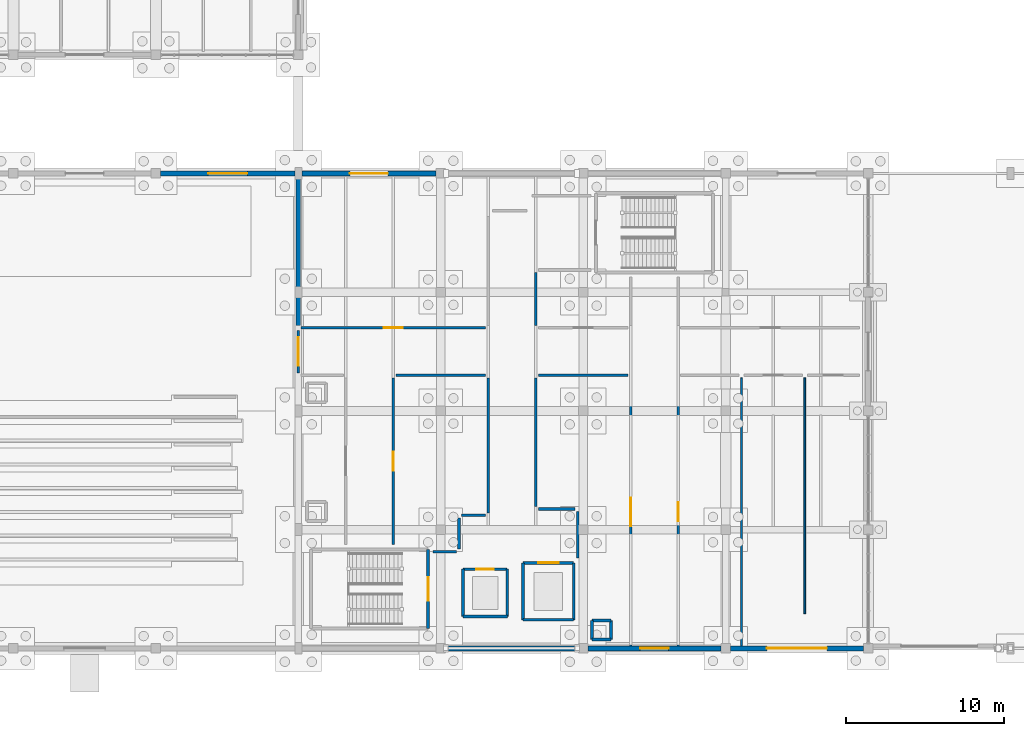
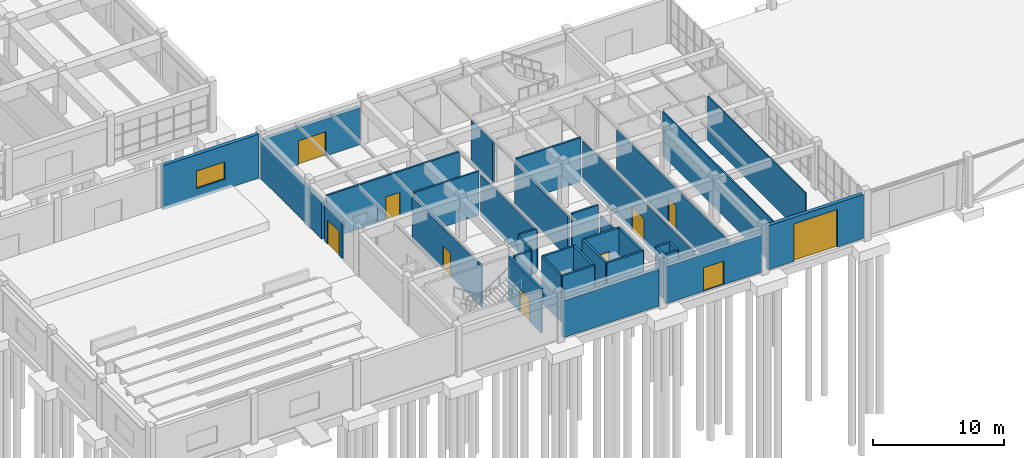
# One storey, part 81 of 93: 36 walls, 11 doors, 1 window, 12 openings.
"""IFC4 building model written with IfcOpenShell, lengths in metres."""

from ifc_helpers import new_model, si_unit, direction, frame, frame_2d, origin, place, context, subcontext, project, spatial, rectangle, extrude, material, layer, layer_set, type_object, element, fill, save


model = new_model("IFC4")

# Units and contexts
model_context = context("Model", 3, precision=1e-05, world=origin(), true_north=direction((0.0, 1.0)))
body_context = subcontext(model_context, "Body", "Model", "MODEL_VIEW")
ifc_project = project(units=[si_unit("LENGTHUNIT", "METRE"), si_unit("AREAUNIT", "SQUARE_METRE"), si_unit("VOLUMEUNIT", "CUBIC_METRE"), si_unit("PLANEANGLEUNIT", "RADIAN"), si_unit("MASSUNIT", "GRAM", prefix="KILO")], contexts=[model_context])

# Site, building, storey
site_placement = place(None, origin())
site = spatial("IfcSite", under=ifc_project, at=site_placement, CompositionType="ELEMENT")
building_placement = place(site_placement, origin())
building = spatial("IfcBuilding", under=site, at=building_placement, Name="Marnridge Secondary College", CompositionType="ELEMENT")
storey_placement = place(building_placement, origin())
storey = spatial("IfcBuildingStorey", under=building, at=storey_placement, Name="L00", CompositionType="ELEMENT", Elevation=0.0)

# Wall
ifc_material_1 = material(Name="Acoustic plasterboard on steel Grade 350 framing Rw50", Category="steel")
ifc_layer_1 = layer(ifc_material_1, 0.2900390625)
ifc_layer_set_1 = layer_set([ifc_layer_1], Name="WT-AC-VAR09")
wall_type_1 = type_object("IfcWallType", Name="WT-AC-VAR09", PredefinedType="PARTITIONING", material=ifc_layer_set_1)
wall_1_placement = place(storey_placement, frame((90.0, 29.840087890625, 0.0), z_axis=(0.0, 0.0, 1.0), x_axis=(0.0, -1.0, 0.0)))
element("IfcWall", 1, at=wall_1_placement, inside=storey, type_object=wall_type_1, Name="Interior partition WP-L00-0037", PredefinedType="PARTITIONING", context=body_context, shape_type="SweptSolid", body=[
    extrude(rectangle(XDim=9.43017578125, YDim=0.2900390625, at=frame_2d((4.715087890625, 0.0))), origin(), (0.0, 0.0, 1.0), 3.44189453125),
])

# Wall, opening, door
ifc_material_2 = material(Name="Concrete C40/50 (AS 3600 N40, 40 MPa)", Category="concrete")
ifc_layer_2 = layer(ifc_material_2, 0.199951171875)
ifc_layer_set_2 = layer_set([ifc_layer_2], Name="WT-CORE-RC200")
wall_type_2 = type_object("IfcWallType", Name="WT-CORE-RC200", PredefinedType="SHEAR", material=ifc_layer_set_2)
wall_2_placement = place(storey_placement, frame((98.199951171875, 6.25, 0.0), z_axis=(0.0, 0.0, 1.0), x_axis=(0.0, -1.0, 0.0)))
wall_2 = element("IfcWall", 2, at=wall_2_placement, inside=storey, type_object=wall_type_2, Name="Stair core shear wall WC-L00-0370", PredefinedType="SHEAR", context=body_context, shape_type="SweptSolid", body=[
    extrude(rectangle(XDim=5.0, YDim=0.199951171875, at=frame_2d((2.5, 0.0))), origin(), (0.0, 0.0, 1.0), 4.10009765625),
])
opening_1_placement = place(wall_2_placement, frame((1.75, 0.0, 0.0)))
opening_1 = element("IfcOpeningElement", 3, at=opening_1_placement, cuts=wall_2, Name="Opening DC-L00-031", PredefinedType="OPENING", context=body_context, shape_type="SweptSolid", body=[
    extrude(rectangle(XDim=1.5, YDim=2.14990234375, at=frame_2d((0.75, 1.074951171875))), frame((0.0, 0.10986328125, 0.0), z_axis=(0.0, -1.0, 0.0), x_axis=(1.0, 0.0, 0.0)), (0.0, 0.0, 1.0), 0.219970703125),
])
ifc_material_3 = material(Name="Fire-rated solid-core timber doorset", Category="wood")
door_type_1 = type_object("IfcDoorType", Name="DT-CORE-FD150", OperationType="DOUBLE_DOOR_SINGLE_SWING", PredefinedType="DOOR", material=ifc_material_3)
door_1_placement = place(opening_1_placement, origin())
door_1 = element("IfcDoor", 4, at=door_1_placement, inside=storey, type_object=door_type_1, Name="Fire stair door DC-L00-031", OperationType="DOUBLE_DOOR_SINGLE_SWING", OverallHeight=2.14990234375, OverallWidth=1.5, PredefinedType="DOOR", context=body_context, shape_type="SweptSolid", body=[
    extrude(rectangle(XDim=1.5, YDim=2.14990234375, at=frame_2d((0.75, 1.074951171875))), frame((0.0, 0.02490234375, 0.0), z_axis=(0.0, -1.0, 0.0), x_axis=(1.0, 0.0, 0.0)), (0.0, 0.0, 1.0), 0.050048828125),
])
fill(opening_1, door_1)

# Wall, opening, window
ifc_material_4 = material(Name="Concrete C40/50 (AS 3600 N40, 40 MPa)", Category="concrete")
ifc_layer_3 = layer(ifc_material_4, 0.320068359375)
ifc_layer_set_3 = layer_set([ifc_layer_3], Name="WT-EXT-RC320")
wall_type_3 = type_object("IfcWallType", Name="WT-EXT-RC320", PredefinedType="SOLIDWALL", material=ifc_layer_set_3)
wall_3_placement = place(storey_placement, frame((81.2958984375, 30.0, 0.0), z_axis=(0.0, 0.0, 1.0), x_axis=(1.0, 0.0, 0.0)))
wall_3 = element("IfcWall", 5, at=wall_3_placement, inside=storey, type_object=wall_type_3, Name="Exterior wall WE-L00-0037", PredefinedType="SOLIDWALL", context=body_context, shape_type="SweptSolid", body=[
    extrude(rectangle(XDim=8.483154296875, YDim=0.320068359375, at=frame_2d((4.24169921875, 0.0))), origin(), (0.0, 0.0, 1.0), 4.10009765625),
])
opening_2_placement = place(wall_3_placement, frame((3.00146484375, 0.0, 0.949951171875)))
opening_2 = element("IfcOpeningElement", 6, at=opening_2_placement, cuts=wall_3, Name="Opening WN-L00-0014", PredefinedType="OPENING", context=body_context, shape_type="SweptSolid", body=[
    extrude(rectangle(XDim=2.47998046875, YDim=1.6201171875, at=frame_2d((1.239990234375, 0.81005859375))), frame((0.0, 0.169921875, 0.0), z_axis=(0.0, -1.0, 0.0), x_axis=(1.0, 0.0, 0.0)), (0.0, 0.0, 1.0), 0.340087890625),
])
ifc_material_5 = material(Name="Solar-control low-E double glazing", Category="glass")
window_type = type_object("IfcWindowType", Name="WN-EXT-V14", PartitioningType="DOUBLE_PANEL_VERTICAL", PredefinedType="WINDOW", material=ifc_material_5)
window_placement = place(opening_2_placement, origin())
window = element("IfcWindow", 7, at=window_placement, inside=storey, type_object=window_type, Name="Facade window WN-L00-0014", OverallHeight=1.6201171875, OverallWidth=2.47998046875, PartitioningType="DOUBLE_PANEL_VERTICAL", PredefinedType="WINDOW", context=body_context, shape_type="SweptSolid", body=[
    extrude(rectangle(XDim=2.47998046875, YDim=1.6201171875, at=frame_2d((1.239990234375, 0.81005859375))), frame((0.0, 0.030029296875, 0.0), z_axis=(0.0, -1.0, 0.0), x_axis=(1.0, 0.0, 0.0)), (0.0, 0.0, 1.0), 0.06005859375),
])
fill(opening_2, window)

# Wall, opening, door
wall_4_placement = place(storey_placement, frame((90.220947265625, 30.0, 0.0), z_axis=(0.0, 0.0, 1.0), x_axis=(1.0, 0.0, 0.0)))
wall_4 = element("IfcWall", 8, at=wall_4_placement, inside=storey, type_object=wall_type_3, Name="Exterior wall WE-L00-0038", PredefinedType="SOLIDWALL", context=body_context, shape_type="SweptSolid", body=[
    extrude(rectangle(XDim=8.483154296875, YDim=0.320068359375, at=frame_2d((4.24169921875, 0.0))), origin(), (0.0, 0.0, 1.0), 3.44189453125),
])
opening_3_placement = place(wall_4_placement, frame((3.04150390625, 0.0, 0.0)))
opening_3 = element("IfcOpeningElement", 9, at=opening_3_placement, cuts=wall_4, Name="Opening DE-L00-014", PredefinedType="OPENING", context=body_context, shape_type="SweptSolid", body=[
    extrude(rectangle(XDim=2.39990234375, YDim=2.25, at=frame_2d((1.199951171875, 1.125))), frame((0.0, 0.169921875, 0.0), z_axis=(0.0, -1.0, 0.0), x_axis=(1.0, 0.0, 0.0)), (0.0, 0.0, 1.0), 0.340087890625),
])
ifc_material_6 = material(Name="Thermally broken aluminium and toughened glass", Category="aluminium")
door_type_2 = type_object("IfcDoorType", Name="DT-EXT-EXIT240", OperationType="DOUBLE_DOOR_SINGLE_SWING", PredefinedType="DOOR", material=ifc_material_6)
door_2_placement = place(opening_3_placement, origin())
door_2 = element("IfcDoor", 10, at=door_2_placement, inside=storey, type_object=door_type_2, Name="Civic entrance exit door DE-L00-014", OperationType="DOUBLE_DOOR_SINGLE_SWING", OverallHeight=2.25, OverallWidth=2.39990234375, PredefinedType="DOOR", context=body_context, shape_type="SweptSolid", body=[
    extrude(rectangle(XDim=2.39990234375, YDim=2.25, at=frame_2d((1.199951171875, 1.125))), frame((0.0, 0.02490234375, 0.0), z_axis=(0.0, -1.0, 0.0), x_axis=(1.0, 0.0, 0.0)), (0.0, 0.0, 1.0), 0.050048828125),
])
fill(opening_3, door_2)

wall_5_placement = place(storey_placement, frame((125.7041015625, 0.0, 0.0), z_axis=(0.0, 0.0, 1.0), x_axis=(-1.0, 0.0, 0.0)))
wall_5 = element("IfcWall", 11, at=wall_5_placement, inside=storey, type_object=wall_type_3, Name="Exterior wall WE-L00-0043", PredefinedType="SOLIDWALL", context=body_context, shape_type="SweptSolid", body=[
    extrude(rectangle(XDim=8.408203125, YDim=0.320068359375, at=frame_2d((4.2041015625, 0.0))), origin(), (0.0, 0.0, 1.0), 4.10009765625),
])
opening_4_placement = place(wall_5_placement, frame((2.303955078125, 0.0, 0.0)))
opening_4 = element("IfcOpeningElement", 12, at=opening_4_placement, cuts=wall_5, Name="Opening RS-01", PredefinedType="OPENING", context=body_context, shape_type="SweptSolid", body=[
    extrude(rectangle(XDim=3.800048828125, YDim=3.5, at=frame_2d((1.89990234375, 1.75))), frame((0.0, 0.169921875, 0.0), z_axis=(0.0, -1.0, 0.0), x_axis=(1.0, 0.0, 0.0)), (0.0, 0.0, 1.0), 0.340087890625),
])
ifc_material_7 = material(Name="Motorised insulated steel Grade 350 loading-dock roller shutter", Category="steel")
door_type_3 = type_object("IfcDoorType", Name="GT-DOCK-380", OperationType="ROLLINGUP", PredefinedType="GATE", material=ifc_material_7)
door_3_placement = place(opening_4_placement, origin())
door_3 = element("IfcDoor", 13, at=door_3_placement, inside=storey, type_object=door_type_3, Name="Loading bay roller shutter gate RS-01", OperationType="ROLLINGUP", OverallHeight=3.5, OverallWidth=3.800048828125, PredefinedType="GATE", context=body_context, shape_type="SweptSolid", body=[
    extrude(rectangle(XDim=3.800048828125, YDim=3.5, at=frame_2d((1.89990234375, 1.75))), frame((0.0, 0.02490234375, 0.0), z_axis=(0.0, -1.0, 0.0), x_axis=(1.0, 0.0, 0.0)), (0.0, 0.0, 1.0), 0.050048828125),
])
fill(opening_4, door_3)

wall_6_placement = place(storey_placement, frame((116.7041015625, 0.0, 0.0), z_axis=(0.0, 0.0, 1.0), x_axis=(-1.0, 0.0, 0.0)))
wall_6 = element("IfcWall", 14, at=wall_6_placement, inside=storey, type_object=wall_type_3, Name="Exterior wall WE-L00-0044", PredefinedType="SOLIDWALL", context=body_context, shape_type="SweptSolid", body=[
    extrude(rectangle(XDim=8.408203125, YDim=0.320068359375, at=frame_2d((4.2041015625, 0.0))), origin(), (0.0, 0.0, 1.0), 3.44189453125),
])
opening_5_placement = place(wall_6_placement, frame((3.303955078125, 0.0, 0.0)))
opening_5 = element("IfcOpeningElement", 15, at=opening_5_placement, cuts=wall_6, Name="Opening DE-L00-016", PredefinedType="OPENING", context=body_context, shape_type="SweptSolid", body=[
    extrude(rectangle(XDim=1.800048828125, YDim=2.199951171875, at=frame_2d((0.89990234375, 1.10009765625))), frame((0.0, 0.169921875, 0.0), z_axis=(0.0, -1.0, 0.0), x_axis=(1.0, 0.0, 0.0)), (0.0, 0.0, 1.0), 0.340087890625),
])
ifc_material_8 = material(Name="Thermally broken timber-aluminium terrace doorset", Category="wood")
door_type_4 = type_object("IfcDoorType", Name="DT-EXT-TER180", OperationType="DOUBLE_DOOR_SINGLE_SWING", PredefinedType="DOOR", material=ifc_material_8)
door_4_placement = place(opening_5_placement, origin())
door_4 = element("IfcDoor", 16, at=door_4_placement, inside=storey, type_object=door_type_4, Name="Final exit stair door DE-L00-016", OperationType="DOUBLE_DOOR_SINGLE_SWING", OverallHeight=2.199951171875, OverallWidth=1.800048828125, PredefinedType="DOOR", context=body_context, shape_type="SweptSolid", body=[
    extrude(rectangle(XDim=1.800048828125, YDim=2.199951171875, at=frame_2d((0.89990234375, 1.10009765625))), frame((0.0, 0.02490234375, 0.0), z_axis=(0.0, -1.0, 0.0), x_axis=(1.0, 0.0, 0.0)), (0.0, 0.0, 1.0), 0.050048828125),
])
fill(opening_5, door_4)

# Wall
wall_7_placement = place(storey_placement, frame((107.7041015625, 0.0, 0.0), z_axis=(0.0, 0.0, 1.0), x_axis=(-1.0, 0.0, 0.0)))
element("IfcWall", 17, at=wall_7_placement, inside=storey, type_object=wall_type_3, Name="Exterior wall WE-L00-0045", PredefinedType="SOLIDWALL", context=body_context, shape_type="SweptSolid", body=[
    extrude(rectangle(XDim=8.408203125, YDim=0.320068359375, at=frame_2d((4.2041015625, 0.0))), origin(), (0.0, 0.0, 1.0), 3.44189453125),
])

# Wall, opening, door
ifc_material_9 = material(Name="Acoustic plasterboard on twin steel Grade 350 framing Rw55", Category="steel")
ifc_layer_4 = layer(ifc_material_9, 0.1650390625)
ifc_layer_set_4 = layer_set([ifc_layer_4], Name="WT-PART-AC165")
wall_type_4 = type_object("IfcWallType", Name="WT-PART-AC165", PredefinedType="PARTITIONING", material=ifc_layer_set_4)
wall_8_placement = place(storey_placement, frame((90.0, 20.090087890625, 0.0), z_axis=(0.0, 0.0, 1.0), x_axis=(0.0, -1.0, 0.0)))
wall_8 = element("IfcWall", 18, at=wall_8_placement, inside=storey, type_object=wall_type_4, Name="Interior partition WP-L00-0035", PredefinedType="PARTITIONING", context=body_context, shape_type="SweptSolid", body=[
    extrude(rectangle(XDim=2.68017578125, YDim=0.1650390625, at=frame_2d((1.340087890625, 0.0))), origin(), (0.0, 0.0, 1.0), 3.44189453125),
])
opening_6_placement = place(wall_8_placement, frame((0.43994140625, 0.0, 0.0)))
opening_6 = element("IfcOpeningElement", 19, at=opening_6_placement, cuts=wall_8, Name="Opening DI-L00-0014", PredefinedType="OPENING", context=body_context, shape_type="SweptSolid", body=[
    extrude(rectangle(XDim=1.800048828125, YDim=2.25, at=frame_2d((0.89990234375, 1.125))), frame((0.0, 0.092529296875, 0.0), z_axis=(0.0, -1.0, 0.0), x_axis=(1.0, 0.0, 0.0)), (0.0, 0.0, 1.0), 0.18505859375),
])
ifc_material_10 = material(Name="Acoustic double assembly doorset", Category="wood")
door_type_5 = type_object("IfcDoorType", Name="DT-HALL-180", OperationType="DOUBLE_DOOR_SINGLE_SWING", PredefinedType="DOOR", material=ifc_material_10)
door_5_placement = place(opening_6_placement, origin())
door_5 = element("IfcDoor", 20, at=door_5_placement, inside=storey, type_object=door_type_5, Name="Interior door DI-L00-0014", OperationType="DOUBLE_DOOR_SINGLE_SWING", OverallHeight=2.25, OverallWidth=1.800048828125, PredefinedType="DOOR", context=body_context, shape_type="SweptSolid", body=[
    extrude(rectangle(XDim=1.800048828125, YDim=2.25, at=frame_2d((0.89990234375, 1.125))), frame((0.0, 0.02490234375, 0.0), z_axis=(0.0, -1.0, 0.0), x_axis=(1.0, 0.0, 0.0)), (0.0, 0.0, 1.0), 0.050048828125),
])
fill(opening_6, door_5)

wall_9_placement = place(storey_placement, frame((114.0, 17.090087890625, 0.0), z_axis=(0.0, 0.0, 1.0), x_axis=(0.0, -1.0, 0.0)))
wall_9 = element("IfcWall", 21, at=wall_9_placement, inside=storey, type_object=wall_type_4, Name="Interior partition WP-L00-0039", PredefinedType="PARTITIONING", context=body_context, shape_type="SweptSolid", body=[
    extrude(rectangle(XDim=16.93017578125, YDim=0.1650390625, at=frame_2d((8.465087890625, 0.0))), origin(), (0.0, 0.0, 1.0), 3.7880859375),
])
opening_7_placement = place(wall_9_placement, frame((7.864990234375, 0.0, 0.0)))
opening_7 = element("IfcOpeningElement", 22, at=opening_7_placement, cuts=wall_9, Name="Opening DI-L00-0015", PredefinedType="OPENING", context=body_context, shape_type="SweptSolid", body=[
    extrude(rectangle(XDim=1.199951171875, YDim=2.14990234375, at=frame_2d((0.60009765625, 1.074951171875))), frame((0.0, 0.092529296875, 0.0), z_axis=(0.0, -1.0, 0.0), x_axis=(1.0, 0.0, 0.0)), (0.0, 0.0, 1.0), 0.18505859375),
])
ifc_material_11 = material(Name="Galvanised steel Grade 350 plant-room fire doorset", Category="steel")
door_type_6 = type_object("IfcDoorType", Name="DT-PLT-120", OperationType="NOTDEFINED", PredefinedType="DOOR", material=ifc_material_11)
door_6_placement = place(opening_7_placement, origin())
door_6 = element("IfcDoor", 23, at=door_6_placement, inside=storey, type_object=door_type_6, Name="Interior door DI-L00-0015", OperationType="SINGLE_SWING_LEFT", OverallHeight=2.14990234375, OverallWidth=1.199951171875, PredefinedType="DOOR", context=body_context, shape_type="SweptSolid", body=[
    extrude(rectangle(XDim=1.199951171875, YDim=2.14990234375, at=frame_2d((0.60009765625, 1.074951171875))), frame((0.0, 0.02490234375, 0.0), z_axis=(0.0, -1.0, 0.0), x_axis=(1.0, 0.0, 0.0)), (0.0, 0.0, 1.0), 0.050048828125),
])
fill(opening_7, door_6)

wall_10_placement = place(storey_placement, frame((111.0, 17.090087890625, 0.0), z_axis=(0.0, 0.0, 1.0), x_axis=(0.0, -1.0, 0.0)))
wall_10 = element("IfcWall", 24, at=wall_10_placement, inside=storey, type_object=wall_type_4, Name="Interior partition WP-L00-0046", PredefinedType="PARTITIONING", context=body_context, shape_type="SweptSolid", body=[
    extrude(rectangle(XDim=16.93017578125, YDim=0.1650390625, at=frame_2d((8.465087890625, 0.0))), origin(), (0.0, 0.0, 1.0), 3.7880859375),
])
opening_8_placement = place(wall_10_placement, frame((7.56494140625, 0.0, 0.0)))
opening_8 = element("IfcOpeningElement", 25, at=opening_8_placement, cuts=wall_10, Name="Opening DI-L00-0019", PredefinedType="OPENING", context=body_context, shape_type="SweptSolid", body=[
    extrude(rectangle(XDim=1.800048828125, YDim=2.25, at=frame_2d((0.89990234375, 1.125))), frame((0.0, 0.092529296875, 0.0), z_axis=(0.0, -1.0, 0.0), x_axis=(1.0, 0.0, 0.0)), (0.0, 0.0, 1.0), 0.18505859375),
])
door_7_placement = place(opening_8_placement, origin())
door_7 = element("IfcDoor", 26, at=door_7_placement, inside=storey, type_object=door_type_5, Name="Interior door DI-L00-0019", OperationType="DOUBLE_DOOR_SINGLE_SWING", OverallHeight=2.25, OverallWidth=1.800048828125, PredefinedType="DOOR", context=body_context, shape_type="SweptSolid", body=[
    extrude(rectangle(XDim=1.800048828125, YDim=2.25, at=frame_2d((0.89990234375, 1.125))), frame((0.0, 0.02490234375, 0.0), z_axis=(0.0, -1.0, 0.0), x_axis=(1.0, 0.0, 0.0)), (0.0, 0.0, 1.0), 0.050048828125),
])
fill(opening_8, door_7)

# Walls
wall_11_placement = place(storey_placement, frame((105.159912109375, 17.25, 0.0), z_axis=(0.0, 0.0, 1.0), x_axis=(1.0, 0.0, 0.0)))
element("IfcWall", 27, at=wall_11_placement, inside=storey, type_object=wall_type_4, Name="Interior partition WP-L00-0047", PredefinedType="PARTITIONING", context=body_context, shape_type="SweptSolid", body=[
    extrude(rectangle(XDim=5.68017578125, YDim=0.1650390625, at=frame_2d((2.840087890625, 0.0))), origin(), (0.0, 0.0, 1.0), 4.10009765625),
])
wall_12_placement = place(storey_placement, frame((105.0, 8.9599609375, 0.0), z_axis=(0.0, 0.0, 1.0), x_axis=(0.0, 1.0, 0.0)))
element("IfcWall", 28, at=wall_12_placement, inside=storey, type_object=wall_type_4, Name="Interior partition WP-L00-0048", PredefinedType="PARTITIONING", context=body_context, shape_type="SweptSolid", body=[
    extrude(rectangle(XDim=8.130126953125, YDim=0.1650390625, at=frame_2d((4.06494140625, 0.0))), origin(), (0.0, 0.0, 1.0), 3.7880859375),
])
wall_13_placement = place(storey_placement, frame((107.489990234375, 8.800048828125, 0.0), z_axis=(0.0, 0.0, 1.0), x_axis=(-1.0, 0.0, 0.0)))
element("IfcWall", 29, at=wall_13_placement, inside=storey, type_object=wall_type_4, Name="Interior partition WP-L00-0049", PredefinedType="PARTITIONING", context=body_context, shape_type="SweptSolid", body=[
    extrude(rectangle(XDim=2.330078125, YDim=0.1650390625, at=frame_2d((1.1650390625, 0.0))), origin(), (0.0, 0.0, 1.0), 4.10009765625),
])
wall_14_placement = place(storey_placement, frame((107.64990234375, 5.699951171875, 0.0), z_axis=(0.0, 0.0, 1.0), x_axis=(0.0, 1.0, 0.0)))
element("IfcWall", 30, at=wall_14_placement, inside=storey, type_object=wall_type_4, Name="Interior partition WP-L00-0050", PredefinedType="PARTITIONING", context=body_context, shape_type="SweptSolid", body=[
    extrude(rectangle(XDim=2.93994140625, YDim=0.1650390625, at=frame_2d((1.469970703125, 0.0))), origin(), (0.0, 0.0, 1.0), 3.14208984375),
])
wall_15_placement = place(storey_placement, frame((100.31005859375, 8.39990234375, 0.0), z_axis=(0.0, 0.0, 1.0), x_axis=(1.0, 0.0, 0.0)))
element("IfcWall", 31, at=wall_15_placement, inside=storey, type_object=wall_type_4, Name="Interior partition WP-L00-0051", PredefinedType="PARTITIONING", context=body_context, shape_type="SweptSolid", body=[
    extrude(rectangle(XDim=1.530029296875, YDim=0.1650390625, at=frame_2d((0.76513671875, 0.0))), origin(), (0.0, 0.0, 1.0), 4.10009765625),
])
wall_16_placement = place(storey_placement, frame((102.0, 8.56005859375, 0.0), z_axis=(0.0, 0.0, 1.0), x_axis=(0.0, 1.0, 0.0)))
element("IfcWall", 32, at=wall_16_placement, inside=storey, type_object=wall_type_4, Name="Interior partition WP-L00-0052", PredefinedType="PARTITIONING", context=body_context, shape_type="SweptSolid", body=[
    extrude(rectangle(XDim=8.530029296875, YDim=0.1650390625, at=frame_2d((4.26513671875, 0.0))), origin(), (0.0, 0.0, 1.0), 3.7880859375),
])
wall_17_placement = place(storey_placement, frame((101.840087890625, 17.25, 0.0), z_axis=(0.0, 0.0, 1.0), x_axis=(-1.0, 0.0, 0.0)))
element("IfcWall", 33, at=wall_17_placement, inside=storey, type_object=wall_type_4, Name="Interior partition WP-L00-0053", PredefinedType="PARTITIONING", context=body_context, shape_type="SweptSolid", body=[
    extrude(rectangle(XDim=5.68017578125, YDim=0.1650390625, at=frame_2d((2.840087890625, 0.0))), origin(), (0.0, 0.0, 1.0), 4.10009765625),
])

# Wall, opening, door
wall_18_placement = place(storey_placement, frame((96.0, 17.090087890625, 0.0), z_axis=(0.0, 0.0, 1.0), x_axis=(0.0, -1.0, 0.0)))
wall_18 = element("IfcWall", 34, at=wall_18_placement, inside=storey, type_object=wall_type_4, Name="Interior partition WP-L00-0054", PredefinedType="PARTITIONING", context=body_context, shape_type="SweptSolid", body=[
    extrude(rectangle(XDim=10.5400390625, YDim=0.1650390625, at=frame_2d((5.27001953125, 0.0))), origin(), (0.0, 0.0, 1.0), 3.7880859375),
])
opening_9_placement = place(wall_18_placement, frame((4.669921875, 0.0, 0.0)))
opening_9 = element("IfcOpeningElement", 35, at=opening_9_placement, cuts=wall_18, Name="Opening DI-L00-0020", PredefinedType="OPENING", context=body_context, shape_type="SweptSolid", body=[
    extrude(rectangle(XDim=1.199951171875, YDim=2.14990234375, at=frame_2d((0.60009765625, 1.074951171875))), frame((0.0, 0.092529296875, 0.0), z_axis=(0.0, -1.0, 0.0), x_axis=(1.0, 0.0, 0.0)), (0.0, 0.0, 1.0), 0.18505859375),
])
door_8_placement = place(opening_9_placement, origin())
door_8 = element("IfcDoor", 36, at=door_8_placement, inside=storey, type_object=door_type_6, Name="Interior door DI-L00-0020", OperationType="SINGLE_SWING_RIGHT", OverallHeight=2.14990234375, OverallWidth=1.199951171875, PredefinedType="DOOR", context=body_context, shape_type="SweptSolid", body=[
    extrude(rectangle(XDim=1.199951171875, YDim=2.14990234375, at=frame_2d((0.60009765625, 1.074951171875))), frame((0.0, 0.02490234375, 0.0), z_axis=(0.0, -1.0, 0.0), x_axis=(1.0, 0.0, 0.0)), (0.0, 0.0, 1.0), 0.050048828125),
])
fill(opening_9, door_8)

# Walls
wall_19_placement = place(storey_placement, frame((98.5, 6.10009765625, 0.0), z_axis=(0.0, 0.0, 1.0), x_axis=(1.0, 0.0, 0.0)))
element("IfcWall", 37, at=wall_19_placement, inside=storey, type_object=wall_type_4, Name="Interior partition WP-L00-0055", PredefinedType="PARTITIONING", context=body_context, shape_type="SweptSolid", body=[
    extrude(rectangle(XDim=1.489990234375, YDim=0.1650390625, at=frame_2d((0.7451171875, 0.0))), origin(), (0.0, 0.0, 1.0), 4.10009765625),
])
wall_20_placement = place(storey_placement, frame((100.14990234375, 6.260009765625, 0.0), z_axis=(0.0, 0.0, 1.0), x_axis=(0.0, 1.0, 0.0)))
element("IfcWall", 38, at=wall_20_placement, inside=storey, type_object=wall_type_4, Name="Interior partition WP-L00-0056", PredefinedType="PARTITIONING", context=body_context, shape_type="SweptSolid", body=[
    extrude(rectangle(XDim=1.97998046875, YDim=0.1650390625, at=frame_2d((0.989990234375, 0.0))), origin(), (0.0, 0.0, 1.0), 4.10009765625),
])

# Wall, opening, door
wall_21_placement = place(storey_placement, frame((90.159912109375, 20.25, 0.0), z_axis=(0.0, 0.0, 1.0), x_axis=(1.0, 0.0, 0.0)))
wall_21 = element("IfcWall", 39, at=wall_21_placement, inside=storey, type_object=wall_type_4, Name="Interior partition WP-L00-0057", PredefinedType="PARTITIONING", context=body_context, shape_type="SweptSolid", body=[
    extrude(rectangle(XDim=11.68017578125, YDim=0.1650390625, at=frame_2d((5.840087890625, 0.0))), origin(), (0.0, 0.0, 1.0), 4.10009765625),
])
opening_10_placement = place(wall_21_placement, frame((5.239990234375, 0.0, 0.0)))
opening_10 = element("IfcOpeningElement", 40, at=opening_10_placement, cuts=wall_21, Name="Opening DI-L00-0021", PredefinedType="OPENING", context=body_context, shape_type="SweptSolid", body=[
    extrude(rectangle(XDim=1.199951171875, YDim=2.14990234375, at=frame_2d((0.60009765625, 1.074951171875))), frame((0.0, 0.092529296875, 0.0), z_axis=(0.0, -1.0, 0.0), x_axis=(1.0, 0.0, 0.0)), (0.0, 0.0, 1.0), 0.18505859375),
])
door_9_placement = place(opening_10_placement, origin())
door_9 = element("IfcDoor", 41, at=door_9_placement, inside=storey, type_object=door_type_6, Name="Interior door DI-L00-0021", OperationType="SINGLE_SWING_LEFT", OverallHeight=2.14990234375, OverallWidth=1.199951171875, PredefinedType="DOOR", context=body_context, shape_type="SweptSolid", body=[
    extrude(rectangle(XDim=1.199951171875, YDim=2.14990234375, at=frame_2d((0.60009765625, 1.074951171875))), frame((0.0, 0.02490234375, 0.0), z_axis=(0.0, -1.0, 0.0), x_axis=(1.0, 0.0, 0.0)), (0.0, 0.0, 1.0), 0.050048828125),
])
fill(opening_10, door_9)

# Walls
wall_22_placement = place(storey_placement, frame((105.0, 23.739990234375, 0.0), z_axis=(0.0, 0.0, 1.0), x_axis=(0.0, -1.0, 0.0)))
element("IfcWall", 42, at=wall_22_placement, inside=storey, type_object=wall_type_4, Name="Interior partition WP-L00-0062", PredefinedType="PARTITIONING", context=body_context, shape_type="SweptSolid", body=[
    extrude(rectangle(XDim=3.330078125, YDim=0.1650390625, at=frame_2d((1.6650390625, 0.0))), origin(), (0.0, 0.0, 1.0), 3.7880859375),
])
ifc_material_12 = material(Name="Moisture-resistant plasterboard sanitary partition", Category="gypsum")
ifc_layer_5 = layer(ifc_material_12, 0.110107421875)
ifc_layer_set_5 = layer_set([ifc_layer_5], Name="WT-PART-WT110")
wall_type_5 = type_object("IfcWallType", Name="WT-PART-WT110", PredefinedType="PARTITIONING", material=ifc_layer_set_5)
wall_23_placement = place(storey_placement, frame((118.0, 0.159912109375, 0.0), z_axis=(0.0, 0.0, 1.0), x_axis=(0.0, 1.0, 0.0)))
element("IfcWall", 43, at=wall_23_placement, inside=storey, type_object=wall_type_5, Name="Interior partition WP-L00-0038", PredefinedType="PARTITIONING", context=body_context, shape_type="SweptSolid", body=[
    extrude(rectangle(XDim=16.93017578125, YDim=0.110107421875, at=frame_2d((8.465087890625, 0.0))), origin(), (0.0, 0.0, 1.0), 4.10009765625),
])
wall_24_placement = place(storey_placement, frame((122.0, 2.197021484375, 0.0), z_axis=(0.0, 0.0, 1.0), x_axis=(0.0, 1.0, 0.0)))
element("IfcWall", 44, at=wall_24_placement, inside=storey, type_object=wall_type_5, Name="Interior partition WP-L00-0041", PredefinedType="PARTITIONING", context=body_context, shape_type="SweptSolid", body=[
    extrude(rectangle(XDim=14.89306640625, YDim=0.110107421875, at=frame_2d((7.446533203125, 0.0))), origin(), (0.0, 0.0, 1.0), 4.10009765625),
])
ifc_material_13 = material(Name="Concrete C40/50 (AS 3600 N40, 40 MPa)", Category="concrete")
ifc_layer_6 = layer(ifc_material_13, 0.179931640625)
ifc_layer_set_6 = layer_set([ifc_layer_6], Name="WT-SHAFT-RC180")
wall_type_6 = type_object("IfcWallType", Name="WT-SHAFT-RC180", PredefinedType="SHEAR", material=ifc_layer_set_6)
for number, where, z_axis, x_axis, name in (
    (45, (109.75, 0.550048828125, 0.0), (0.0, 0.0, 1.0), (-1.0, 0.0, 0.0), "Service riser shaft wall WR-L00-0021"),
    (46, (108.550048828125, 0.550048828125, 0.0), (0.0, 0.0, 1.0), (0.0, 1.0, 0.0), "Service riser shaft wall WR-L00-0022"),
    (47, (108.550048828125, 1.75, 0.0), (0.0, 0.0, 1.0), (1.0, 0.0, 0.0), "Service riser shaft wall WR-L00-0023"),
    (48, (109.75, 1.75, 0.0), (0.0, 0.0, 1.0), (0.0, -1.0, 0.0), "Service riser shaft wall WR-L00-0024"),
):
    element("IfcWall", number, at=place(storey_placement, frame(where, z_axis=z_axis, x_axis=x_axis)), inside=storey, type_object=wall_type_6, Name=name, PredefinedType="SHEAR", context=body_context, shape_type="SweptSolid", body=[
        extrude(rectangle(XDim=1.199951171875, YDim=0.179931640625, at=frame_2d((0.60009765625, 0.0))), origin(), (0.0, 0.0, 1.0), 4.10009765625),
    ])
wall_25_placement = place(storey_placement, frame((103.199951171875, 2.0, -0.199951171875), z_axis=(0.0, 0.0, 1.0), x_axis=(-1.0, 0.0, 0.0)))
element("IfcWall", 49, at=wall_25_placement, inside=storey, type_object=wall_type_6, Name="Lift shaft wall WL-L00-0469", PredefinedType="SHEAR", context=body_context, shape_type="SweptSolid", body=[
    extrude(rectangle(XDim=2.800048828125, YDim=0.179931640625, at=frame_2d((1.39990234375, 0.0))), origin(), (0.0, 0.0, 1.0), 4.300048828125),
])
wall_26_placement = place(storey_placement, frame((100.39990234375, 2.0, -0.199951171875), z_axis=(0.0, 0.0, 1.0), x_axis=(0.0, 1.0, 0.0)))
element("IfcWall", 50, at=wall_26_placement, inside=storey, type_object=wall_type_6, Name="Lift shaft wall WL-L00-0470", PredefinedType="SHEAR", context=body_context, shape_type="SweptSolid", body=[
    extrude(rectangle(XDim=3.0, YDim=0.179931640625, at=frame_2d((1.5, 0.0))), origin(), (0.0, 0.0, 1.0), 4.300048828125),
])

# Wall, opening, door
wall_27_placement = place(storey_placement, frame((100.39990234375, 5.0, -0.199951171875), z_axis=(0.0, 0.0, 1.0), x_axis=(1.0, 0.0, 0.0)))
wall_27 = element("IfcWall", 51, at=wall_27_placement, inside=storey, type_object=wall_type_6, Name="Lift shaft wall WL-L00-0471", PredefinedType="SHEAR", context=body_context, shape_type="SweptSolid", body=[
    extrude(rectangle(XDim=2.800048828125, YDim=0.179931640625, at=frame_2d((1.39990234375, 0.0))), origin(), (0.0, 0.0, 1.0), 4.300048828125),
])
opening_11_placement = place(wall_27_placement, frame((0.85009765625, 0.0, 0.199951171875)))
opening_11 = element("IfcOpeningElement", 52, at=opening_11_placement, cuts=wall_27, Name="Opening LD-LC-04-L00", PredefinedType="OPENING", context=body_context, shape_type="SweptSolid", body=[
    extrude(rectangle(XDim=1.10009765625, YDim=2.14990234375, at=frame_2d((0.550048828125, 1.074951171875))), frame((0.0, 0.099853515625, 0.0), z_axis=(0.0, -1.0, 0.0), x_axis=(1.0, 0.0, 0.0)), (0.0, 0.0, 1.0), 0.199951171875),
])
ifc_material_14 = material(Name="Stainless steel Grade 350 automatic sliding lift landing doorset", Category="steel")
door_type_7 = type_object("IfcDoorType", Name="DT-LIFT-LD110", OperationType="SLIDING_TO_LEFT", PredefinedType="DOOR", material=ifc_material_14)
door_10_placement = place(opening_11_placement, origin())
door_10 = element("IfcDoor", 53, at=door_10_placement, inside=storey, type_object=door_type_7, Name="Sliding lift landing door LD-LC-04-L00", OperationType="SLIDING_TO_LEFT", OverallHeight=2.14990234375, OverallWidth=1.10009765625, PredefinedType="DOOR", context=body_context, shape_type="SweptSolid", body=[
    extrude(rectangle(XDim=1.10009765625, YDim=2.14990234375, at=frame_2d((0.550048828125, 1.074951171875))), frame((0.0, 0.02490234375, 0.0), z_axis=(0.0, -1.0, 0.0), x_axis=(1.0, 0.0, 0.0)), (0.0, 0.0, 1.0), 0.050048828125),
])
fill(opening_11, door_10)

# Walls
wall_28_placement = place(storey_placement, frame((103.199951171875, 5.0, -0.199951171875), z_axis=(0.0, 0.0, 1.0), x_axis=(0.0, -1.0, 0.0)))
element("IfcWall", 54, at=wall_28_placement, inside=storey, type_object=wall_type_6, Name="Lift shaft wall WL-L00-0472", PredefinedType="SHEAR", context=body_context, shape_type="SweptSolid", body=[
    extrude(rectangle(XDim=3.0, YDim=0.179931640625, at=frame_2d((1.5, 0.0))), origin(), (0.0, 0.0, 1.0), 4.300048828125),
])
wall_29_placement = place(storey_placement, frame((107.39990234375, 1.800048828125, -0.199951171875), z_axis=(0.0, 0.0, 1.0), x_axis=(-1.0, 0.0, 0.0)))
element("IfcWall", 55, at=wall_29_placement, inside=storey, type_object=wall_type_6, Name="Lift shaft wall WL-L00-0489", PredefinedType="SHEAR", context=body_context, shape_type="SweptSolid", body=[
    extrude(rectangle(XDim=3.199951171875, YDim=0.179931640625, at=frame_2d((1.60009765625, 0.0))), origin(), (0.0, 0.0, 1.0), 4.300048828125),
])
wall_30_placement = place(storey_placement, frame((104.199951171875, 1.800048828125, -0.199951171875), z_axis=(0.0, 0.0, 1.0), x_axis=(0.0, 1.0, 0.0)))
element("IfcWall", 56, at=wall_30_placement, inside=storey, type_object=wall_type_6, Name="Lift shaft wall WL-L00-0490", PredefinedType="SHEAR", context=body_context, shape_type="SweptSolid", body=[
    extrude(rectangle(XDim=3.599853515625, YDim=0.179931640625, at=frame_2d((1.7998046875, 0.0))), origin(), (0.0, 0.0, 1.0), 4.300048828125),
])

# Wall, opening, door
wall_31_placement = place(storey_placement, frame((104.199951171875, 5.39990234375, -0.199951171875), z_axis=(0.0, 0.0, 1.0), x_axis=(1.0, 0.0, 0.0)))
wall_31 = element("IfcWall", 57, at=wall_31_placement, inside=storey, type_object=wall_type_6, Name="Lift shaft wall WL-L00-0491", PredefinedType="SHEAR", context=body_context, shape_type="SweptSolid", body=[
    extrude(rectangle(XDim=3.199951171875, YDim=0.179931640625, at=frame_2d((1.60009765625, 0.0))), origin(), (0.0, 0.0, 1.0), 4.300048828125),
])
opening_12_placement = place(wall_31_placement, frame((0.949951171875, 0.0, 0.199951171875)))
opening_12 = element("IfcOpeningElement", 58, at=opening_12_placement, cuts=wall_31, Name="Opening LD-LC-06-L00", PredefinedType="OPENING", context=body_context, shape_type="SweptSolid", body=[
    extrude(rectangle(XDim=1.300048828125, YDim=2.199951171875, at=frame_2d((0.64990234375, 1.10009765625))), frame((0.0, 0.099853515625, 0.0), z_axis=(0.0, -1.0, 0.0), x_axis=(1.0, 0.0, 0.0)), (0.0, 0.0, 1.0), 0.199951171875),
])
ifc_material_15 = material(Name="Stainless steel Grade 350 automatic goods lift landing doorset", Category="steel")
door_type_8 = type_object("IfcDoorType", Name="DT-LIFT-LD130", OperationType="SLIDING_TO_LEFT", PredefinedType="DOOR", material=ifc_material_15)
door_11_placement = place(opening_12_placement, origin())
door_11 = element("IfcDoor", 59, at=door_11_placement, inside=storey, type_object=door_type_8, Name="Sliding lift landing door LD-LC-06-L00", OperationType="SLIDING_TO_LEFT", OverallHeight=2.199951171875, OverallWidth=1.300048828125, PredefinedType="DOOR", context=body_context, shape_type="SweptSolid", body=[
    extrude(rectangle(XDim=1.300048828125, YDim=2.199951171875, at=frame_2d((0.64990234375, 1.10009765625))), frame((0.0, 0.02490234375, 0.0), z_axis=(0.0, -1.0, 0.0), x_axis=(1.0, 0.0, 0.0)), (0.0, 0.0, 1.0), 0.050048828125),
])
fill(opening_12, door_11)

# Wall
wall_32_placement = place(storey_placement, frame((107.39990234375, 5.39990234375, -0.199951171875), z_axis=(0.0, 0.0, 1.0), x_axis=(0.0, -1.0, 0.0)))
element("IfcWall", 60, at=wall_32_placement, inside=storey, type_object=wall_type_6, Name="Lift shaft wall WL-L00-0492", PredefinedType="SHEAR", context=body_context, shape_type="SweptSolid", body=[
    extrude(rectangle(XDim=3.599853515625, YDim=0.179931640625, at=frame_2d((1.7998046875, 0.0))), origin(), (0.0, 0.0, 1.0), 4.300048828125),
])

save(model, "model.ifc")
